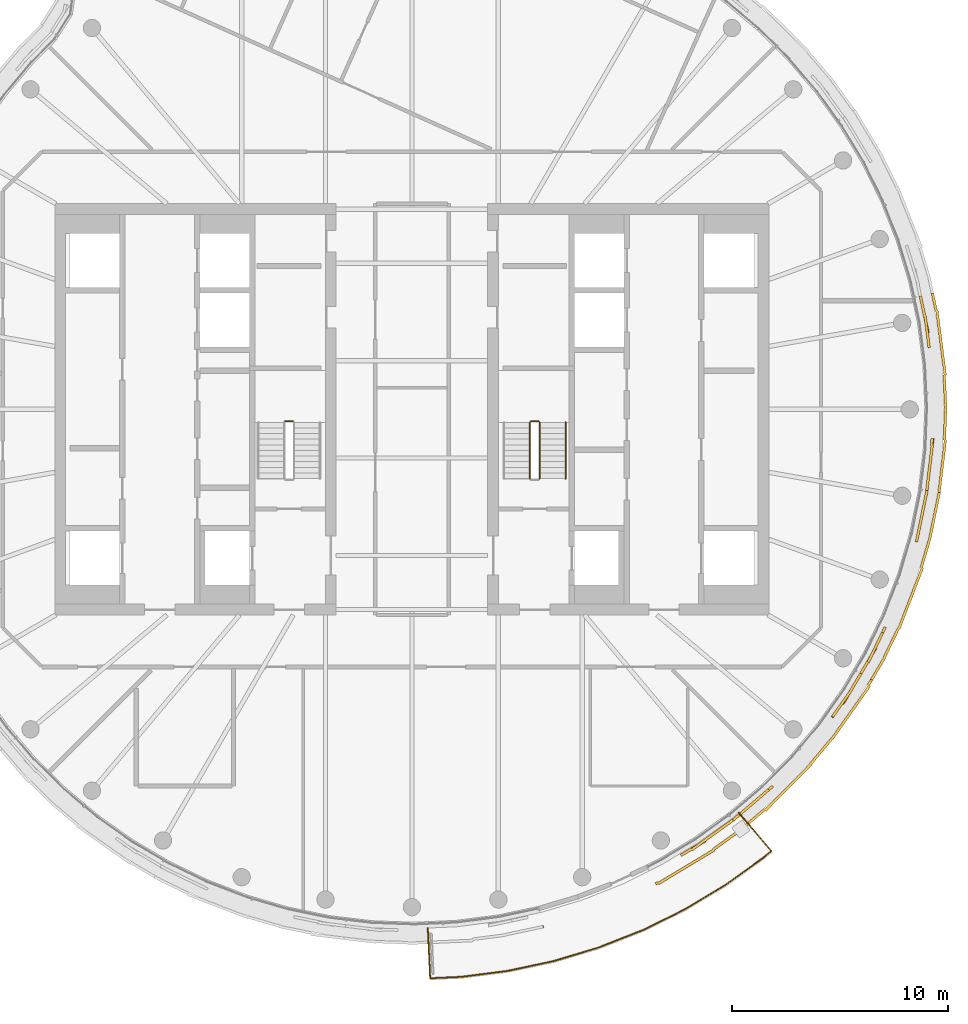
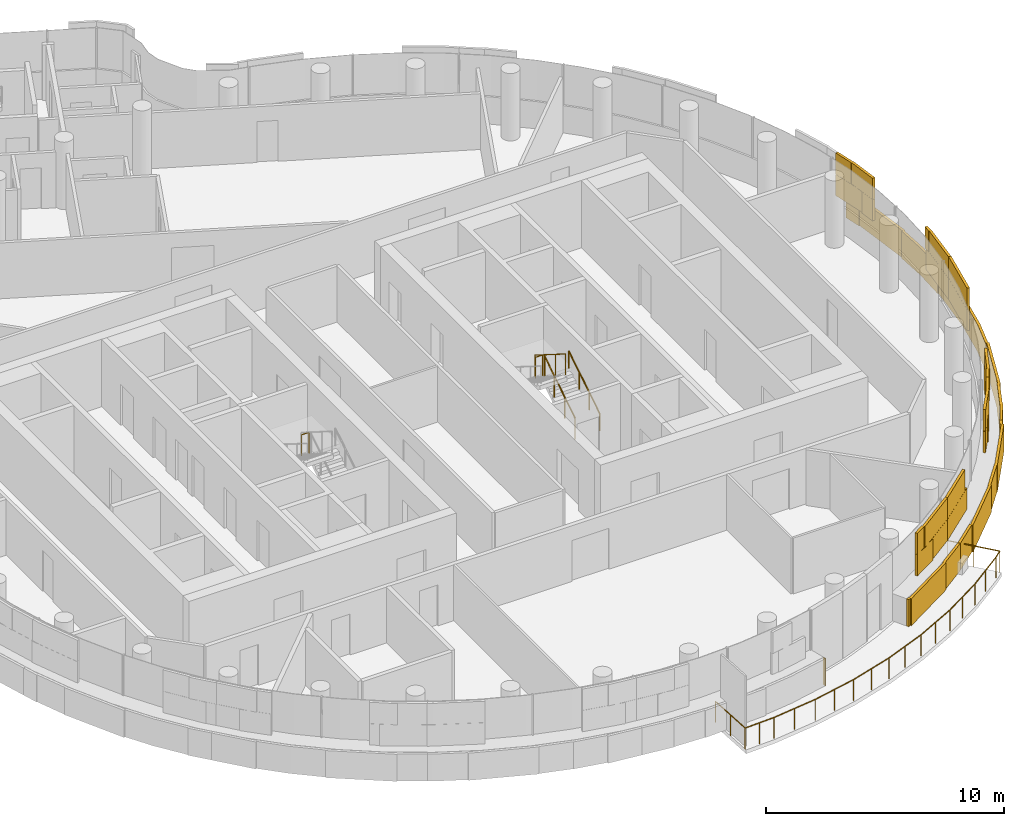
# One storey, part 18 of 21: 6 railings, 4 coverings.
"""IFC4 building model written with IfcOpenShell, lengths in metres."""

from ifc_helpers import new_model, si_unit, direction, frame, origin, origin_2d, place, context, subcontext, project, spatial, rectangle, circle, extrude, material, layer, layer_set, type_object, element, save


model = new_model("IFC4")

# Units and contexts
model_context = context("Model", 3, precision=1e-05, world=origin(), true_north=direction((0.0, 1.0)))
body_context = subcontext(model_context, "Body", "Model", "MODEL_VIEW")
ifc_project = project(units=[si_unit("LENGTHUNIT", "METRE"), si_unit("AREAUNIT", "SQUARE_METRE"), si_unit("VOLUMEUNIT", "CUBIC_METRE"), si_unit("PLANEANGLEUNIT", "RADIAN"), si_unit("MASSUNIT", "GRAM", prefix="KILO")], contexts=[model_context])

# Site, building, storey
site_placement = place(None, origin())
site = spatial("IfcSite", under=ifc_project, at=site_placement, CompositionType="ELEMENT")
building_placement = place(site_placement, origin())
building = spatial("IfcBuilding", under=site, at=building_placement, Name="Tamarind Cross Interchange Tower", CompositionType="ELEMENT")
storey_placement = place(building_placement, frame((0.0, 0.0, 271.199951171875)))
storey = spatial("IfcBuildingStorey", under=building, at=storey_placement, Name="L69", CompositionType="ELEMENT", Elevation=271.199951171875)

# Railings
ifc_material_1 = material(Name="Stainless steel and laminated glass", Category="steel")
railing_type_1 = type_object("IfcRailingType", Name="Balcony guard", PredefinedType="BALUSTRADE", material=ifc_material_1)
railing_1_placement = place(storey_placement, frame((0.734130859375, -23.967041015625, 0.0)))
element("IfcRailing", 1, at=railing_1_placement, inside=storey, type_object=railing_type_1, Name="Balcony guard 01", PredefinedType="BALUSTRADE", context=body_context, shape_type="SweptSolid", body=[
    extrude(circle(Radius=0.02490234375, at=origin_2d()), frame((0.0, 0.0, 1.0751953125), z_axis=(0.045569972356, -0.998961149204, 0.0), x_axis=(0.998961149204, 0.045569972356, 0.0)), (0.0, 0.0, 1.0), 2.31982421875),
    extrude(circle(Radius=0.02490234375, at=origin_2d()), frame((0.105712890625, -2.3173828125, 1.0751953125), z_axis=(0.998962969668, 0.045530047571, 0.0), x_axis=(-0.045530047571, 0.998962969668, 0.0)), (0.0, 0.0, 1.0), 1.44775390625),
    extrude(circle(Radius=0.02490234375, at=origin_2d()), frame((1.552001953125, -2.25146484375, 1.0751953125), z_axis=(0.991779704699, 0.127957091824, 0.0), x_axis=(-0.127957091824, 0.991779704699, 0.0)), (0.0, 0.0, 1.0), 2.175048828125),
    extrude(circle(Radius=0.02490234375, at=origin_2d()), frame((3.709228515625, -1.97314453125, 1.0751953125), z_axis=(0.977822119933, 0.209437106955, 0.0), x_axis=(-0.209437106955, 0.977822119933, 0.0)), (0.0, 0.0, 1.0), 2.17529296875),
    extrude(circle(Radius=0.02490234375, at=origin_2d()), frame((5.836181640625, -1.517578125, 1.0751953125), z_axis=(0.957187563191, 0.289468424656, 0.0), x_axis=(-0.289468424656, 0.957187563191, 0.0)), (0.0, 0.0, 1.0), 2.175048828125),
    extrude(circle(Radius=0.02490234375, at=origin_2d()), frame((7.918212890625, -0.887939453125, 1.0751953125), z_axis=(0.930047255074, 0.367439931593, 0.0), x_axis=(-0.367439931593, 0.930047255074, 0.0)), (0.0, 0.0, 1.0), 2.17529296875),
    extrude(circle(Radius=0.02490234375, at=origin_2d()), frame((9.94140625, -0.088623046875, 1.0751953125), z_axis=(0.896460627491, 0.443123395184, 0.0), x_axis=(-0.443123395184, 0.896460627491, 0.0)), (0.0, 0.0, 1.0), 2.175048828125),
    extrude(circle(Radius=0.02490234375, at=origin_2d()), frame((11.891357421875, 0.875244140625, 1.0751953125), z_axis=(0.85686835227, 0.515535281894, 0.0), x_axis=(-0.515535281894, 0.85686835227, 0.0)), (0.0, 0.0, 1.0), 2.175048828125),
    extrude(circle(Radius=0.02490234375, at=origin_2d()), frame((13.755126953125, 1.99658203125, 1.0751953125), z_axis=(0.811315026637, 0.584609209261, 0.0), x_axis=(-0.584609209261, 0.811315026637, 0.0)), (0.0, 0.0, 1.0), 2.17529296875),
    extrude(circle(Radius=0.02490234375, at=origin_2d()), frame((15.52001953125, 3.268310546875, 1.0751953125), z_axis=(0.76034094572, 0.649524169112, 0.0), x_axis=(-0.649524169112, 0.76034094572, 0.0)), (0.0, 0.0, 1.0), 0.46044921875),
    extrude(circle(Radius=0.02490234375, at=origin_2d()), frame((15.8701171875, 3.5673828125, 1.0751953125), z_axis=(-0.649585978216, 0.760288140711, 0.0), x_axis=(-0.760288140711, -0.649585978216, 0.0)), (0.0, 0.0, 1.0), 2.320068359375),
    extrude(circle(Radius=0.02001953125, at=origin_2d()), origin(), (0.0, 0.0, 1.0), 1.050048828125),
    extrude(circle(Radius=0.02001953125, at=origin_2d()), frame((0.052734375, -1.15869140625, 0.0)), (0.0, 0.0, 1.0), 1.050048828125),
    extrude(circle(Radius=0.02001953125, at=origin_2d()), frame((0.105712890625, -2.3173828125, 0.0)), (0.0, 0.0, 1.0), 1.050048828125),
    extrude(circle(Radius=0.02001953125, at=origin_2d()), frame((0.828857421875, -2.284423828125, 0.0)), (0.0, 0.0, 1.0), 1.050048828125),
    extrude(circle(Radius=0.02001953125, at=origin_2d()), frame((1.552001953125, -2.25146484375, 0.0)), (0.0, 0.0, 1.0), 1.050048828125),
    extrude(circle(Radius=0.02001953125, at=origin_2d()), frame((2.630615234375, -2.1123046875, 0.0)), (0.0, 0.0, 1.0), 1.050048828125),
    extrude(circle(Radius=0.02001953125, at=origin_2d()), frame((3.709228515625, -1.97314453125, 0.0)), (0.0, 0.0, 1.0), 1.050048828125),
    extrude(circle(Radius=0.02001953125, at=origin_2d()), frame((4.772705078125, -1.745361328125, 0.0)), (0.0, 0.0, 1.0), 1.050048828125),
    extrude(circle(Radius=0.02001953125, at=origin_2d()), frame((5.836181640625, -1.517578125, 0.0)), (0.0, 0.0, 1.0), 1.050048828125),
    extrude(circle(Radius=0.02001953125, at=origin_2d()), frame((6.877197265625, -1.20263671875, 0.0)), (0.0, 0.0, 1.0), 1.050048828125),
    extrude(circle(Radius=0.02001953125, at=origin_2d()), frame((7.918212890625, -0.887939453125, 0.0)), (0.0, 0.0, 1.0), 1.050048828125),
    extrude(circle(Radius=0.02001953125, at=origin_2d()), frame((8.9296875, -0.48828125, 0.0)), (0.0, 0.0, 1.0), 1.050048828125),
    extrude(circle(Radius=0.02001953125, at=origin_2d()), frame((9.94140625, -0.088623046875, 0.0)), (0.0, 0.0, 1.0), 1.050048828125),
    extrude(circle(Radius=0.02001953125, at=origin_2d()), frame((10.91650390625, 0.393310546875, 0.0)), (0.0, 0.0, 1.0), 1.050048828125),
    extrude(circle(Radius=0.02001953125, at=origin_2d()), frame((11.891357421875, 0.875244140625, 0.0)), (0.0, 0.0, 1.0), 1.050048828125),
    extrude(circle(Radius=0.02001953125, at=origin_2d()), frame((12.8232421875, 1.43603515625, 0.0)), (0.0, 0.0, 1.0), 1.050048828125),
    extrude(circle(Radius=0.02001953125, at=origin_2d()), frame((13.755126953125, 1.99658203125, 0.0)), (0.0, 0.0, 1.0), 1.050048828125),
    extrude(circle(Radius=0.02001953125, at=origin_2d()), frame((14.6376953125, 2.63232421875, 0.0)), (0.0, 0.0, 1.0), 1.050048828125),
    extrude(circle(Radius=0.02001953125, at=origin_2d()), frame((15.52001953125, 3.268310546875, 0.0)), (0.0, 0.0, 1.0), 1.050048828125),
    extrude(circle(Radius=0.02001953125, at=origin_2d()), frame((15.8701171875, 3.5673828125, 0.0)), (0.0, 0.0, 1.0), 1.050048828125),
    extrude(circle(Radius=0.02001953125, at=origin_2d()), frame((15.11669921875, 4.44921875, 0.0)), (0.0, 0.0, 1.0), 1.050048828125),
    extrude(circle(Radius=0.02001953125, at=origin_2d()), frame((14.363037109375, 5.331298828125, 0.0)), (0.0, 0.0, 1.0), 1.050048828125),
])
ifc_material_2 = material(Name="Stair guard")
railing_type_2 = type_object("IfcRailingType", Name="Stair guard", PredefinedType="GUARDRAIL", material=ifc_material_2)
railing_2_placement = place(storey_placement, frame((-5.5, -0.550048828125, 1.800048828125)))
element("IfcRailing", 2, at=railing_2_placement, inside=storey, type_object=railing_type_2, Name="L69 ST1 stair guard 2", PredefinedType="GUARDRAIL", context=body_context, shape_type="SweptSolid", body=[
    extrude(circle(Radius=0.02392578125, at=origin_2d()), frame((0.0, 0.0, 1.076171875), z_axis=(-1.0, 0.0, 0.0), x_axis=(0.0, -1.0, 0.0)), (0.0, 0.0, 1.0), 0.35009765625),
    extrude(circle(Radius=0.02099609375, at=origin_2d()), origin(), (0.0, 0.0, 1.0), 1.052001953125),
    extrude(circle(Radius=0.02099609375, at=origin_2d()), frame((-0.35009765625, 0.0, 0.0)), (0.0, 0.0, 1.0), 1.052001953125),
])
railing_3_placement = place(storey_placement, frame((5.89990234375, -3.199951171875, 0.16357421875)))
element("IfcRailing", 3, at=railing_3_placement, inside=storey, type_object=railing_type_2, Name="L69 ST2 stair guard 1", PredefinedType="GUARDRAIL", context=body_context, shape_type="SweptSolid", body=[
    extrude(circle(Radius=0.02392578125, at=origin_2d()), frame((0.0, 0.0, 1.076171875), z_axis=(0.0, 0.846301844409, 0.532703658848), x_axis=(-1.0, 0.0, 0.0)), (0.0, 0.0, 1.0), 3.072021484375),
    extrude(circle(Radius=0.02099609375, at=origin_2d()), origin(), (0.0, 0.0, 1.0), 1.052001953125),
    extrude(circle(Radius=0.02099609375, at=origin_2d()), frame((0.0, 0.86669921875, 0.54541015625)), (0.0, 0.0, 1.0), 1.052001953125),
    extrude(circle(Radius=0.02099609375, at=origin_2d()), frame((0.0, 1.733154296875, 1.091064453125)), (0.0, 0.0, 1.0), 1.052001953125),
    extrude(circle(Radius=0.02099609375, at=origin_2d()), frame((0.0, 2.599853515625, 1.636474609375)), (0.0, 0.0, 1.0), 1.052001953125),
])
railing_4_placement = place(storey_placement, frame((5.85009765625, -0.550048828125, 1.800048828125)))
element("IfcRailing", 4, at=railing_4_placement, inside=storey, type_object=railing_type_2, Name="L69 ST2 stair guard 2", PredefinedType="GUARDRAIL", context=body_context, shape_type="SweptSolid", body=[
    extrude(circle(Radius=0.02392578125, at=origin_2d()), frame((0.0, 0.0, 1.076171875), z_axis=(-1.0, 0.0, 0.0), x_axis=(0.0, -1.0, 0.0)), (0.0, 0.0, 1.0), 0.35009765625),
    extrude(circle(Radius=0.02099609375, at=origin_2d()), origin(), (0.0, 0.0, 1.0), 1.052001953125),
    extrude(circle(Radius=0.02099609375, at=origin_2d()), frame((-0.35009765625, 0.0, 0.0)), (0.0, 0.0, 1.0), 1.052001953125),
])
railing_5_placement = place(storey_placement, frame((5.449951171875, -0.60009765625, 1.963623046875)))
element("IfcRailing", 5, at=railing_5_placement, inside=storey, type_object=railing_type_2, Name="L69 ST2 stair guard 3", PredefinedType="GUARDRAIL", context=body_context, shape_type="SweptSolid", body=[
    extrude(circle(Radius=0.02392578125, at=origin_2d()), frame((0.0, 0.0, 1.076171875), z_axis=(0.0, -0.846301844409, 0.532703658848), x_axis=(1.0, 0.0, 0.0)), (0.0, 0.0, 1.0), 3.072021484375),
    extrude(circle(Radius=0.02099609375, at=origin_2d()), origin(), (0.0, 0.0, 1.0), 1.052001953125),
    extrude(circle(Radius=0.02099609375, at=origin_2d()), frame((0.0, -0.86669921875, 0.54541015625)), (0.0, 0.0, 1.0), 1.052001953125),
    extrude(circle(Radius=0.02099609375, at=origin_2d()), frame((0.0, -1.733154296875, 1.091064453125)), (0.0, 0.0, 1.0), 1.052001953125),
    extrude(circle(Radius=0.02099609375, at=origin_2d()), frame((0.0, -2.599853515625, 1.636474609375)), (0.0, 0.0, 1.0), 1.052001953125),
])
ifc_material_3 = material(Name="Stair handrail")
railing_type_3 = type_object("IfcRailingType", Name="Stair handrail", PredefinedType="HANDRAIL", material=ifc_material_3)
railing_6_placement = place(storey_placement, frame((7.10009765625, -3.199951171875, 0.16357421875)))
element("IfcRailing", 6, at=railing_6_placement, inside=storey, type_object=railing_type_3, Name="L69 ST2 stair handrail 1", PredefinedType="HANDRAIL", context=body_context, shape_type="SweptSolid", body=[
    extrude(circle(Radius=0.02392578125, at=origin_2d()), frame((0.0, 0.0, 0.8759765625), z_axis=(0.0, 0.846301844409, 0.532703658848), x_axis=(-1.0, 0.0, 0.0)), (0.0, 0.0, 1.0), 3.072021484375),
    extrude(circle(Radius=0.02099609375, at=origin_2d()), origin(), (0.0, 0.0, 1.0), 0.851806640625),
    extrude(circle(Radius=0.02099609375, at=origin_2d()), frame((0.0, 0.86669921875, 0.54541015625)), (0.0, 0.0, 1.0), 0.851806640625),
    extrude(circle(Radius=0.02099609375, at=origin_2d()), frame((0.0, 1.733154296875, 1.091064453125)), (0.0, 0.0, 1.0), 0.851806640625),
    extrude(circle(Radius=0.02099609375, at=origin_2d()), frame((0.0, 2.599853515625, 1.636474609375)), (0.0, 0.0, 1.0), 0.851806640625),
])

# Coverings
ifc_material_4 = material(Name="Terracotta", Category="masonry")
ifc_layer = layer(ifc_material_4, 0.1201171875)
ifc_layer_set = layer_set([ifc_layer], Name="Terracotta")
covering_type = type_object("IfcCoveringType", Name="Terracotta baguette screen unit", PredefinedType="MOLDING", material=ifc_layer_set)
covering_1_placement = place(storey_placement, origin())
element("IfcCovering", 7, at=covering_1_placement, inside=storey, type_object=covering_type, Name="SCR-L69-01-08", PredefinedType="MOLDING", context=body_context, shape_type="SweptSolid", body=[
    extrude(rectangle(XDim=1.326904296875, YDim=0.1201171875, at=origin_2d()), frame((12.996826171875, -20.265625, 1.40380859375), z_axis=(0.0, 0.0, 1.0), x_axis=(0.856843065292, 0.515577308909, 0.0)), (0.0, 0.0, 1.0), 1.092041015625),
    extrude(rectangle(XDim=1.52001953125, YDim=0.1201171875, at=origin_2d()), frame((14.153564453125, -19.463623046875, 1.40380859375), z_axis=(0.0, 0.0, 1.0), x_axis=(0.811340475102, 0.584573890505, 0.0)), (0.0, 0.0, 1.0), 1.092041015625),
    extrude(rectangle(XDim=0.0947265625, YDim=0.1201171875, at=origin_2d()), frame((14.79638671875, -19.00048828125, 1.40380859375), z_axis=(0.0, 0.0, 1.0), x_axis=(0.811340475102, 0.584573890505, 0.0)), (0.0, 0.0, 1.0), 1.092041015625),
    extrude(rectangle(XDim=0.576904296875, YDim=0.1201171875, at=origin_2d()), frame((12.675537109375, -20.458984375, 2.50390625), z_axis=(0.0, 0.0, 1.0), x_axis=(0.856843065292, 0.515577308909, 0.0)), (0.0, 0.0, 1.0), 1.092041015625),
    extrude(rectangle(XDim=1.52001953125, YDim=0.1201171875, at=origin_2d()), frame((13.545166015625, -19.902099609375, 2.50390625), z_axis=(0.0, 0.0, 1.0), x_axis=(0.811340475102, 0.584573890505, 0.0)), (0.0, 0.0, 1.0), 1.092041015625),
    extrude(rectangle(XDim=0.8447265625, YDim=0.1201171875, at=origin_2d()), frame((14.4921875, -19.2197265625, 2.50390625), z_axis=(0.0, 0.0, 1.0), x_axis=(0.811340475102, 0.584573890505, 0.0)), (0.0, 0.0, 1.0), 1.092041015625),
    extrude(rectangle(XDim=0.03076171875, YDim=0.1201171875, at=origin_2d()), frame((6.066650390625, -23.89892578125, 0.00390625), z_axis=(0.0, 0.0, 1.0), x_axis=(0.977824623121, 0.209425419705, 0.0)), (0.0, 0.0, 1.0), 1.39208984375),
    extrude(rectangle(XDim=0.126220703125, YDim=0.1201171875, at=origin_2d()), frame((11.31298828125, -21.893310546875, 0.00390625), z_axis=(0.0, 0.0, 1.0), x_axis=(0.896492548518, 0.443058811505, 0.0)), (0.0, 0.0, 1.0), 1.39208984375),
    extrude(rectangle(XDim=1.52001953125, YDim=0.1201171875, at=origin_2d()), frame((12.024169921875, -21.52099609375, 0.00390625), z_axis=(0.0, 0.0, 1.0), x_axis=(0.856843065292, 0.515577308909, 0.0)), (0.0, 0.0, 1.0), 1.39208984375),
    extrude(rectangle(XDim=1.52001953125, YDim=0.1201171875, at=origin_2d()), frame((13.309326171875, -20.74755859375, 0.00390625), z_axis=(0.0, 0.0, 1.0), x_axis=(0.856843065292, 0.515577308909, 0.0)), (0.0, 0.0, 1.0), 1.39208984375),
    extrude(rectangle(XDim=1.52001953125, YDim=0.1201171875, at=origin_2d()), frame((14.54052734375, -19.892333984375, 0.00390625), z_axis=(0.0, 0.0, 1.0), x_axis=(0.811340475102, 0.584573890505, 0.0)), (0.0, 0.0, 1.0), 1.39208984375),
    extrude(rectangle(XDim=0.053955078125, YDim=0.1201171875, at=origin_2d()), frame((15.162841796875, -19.444091796875, 0.00390625), z_axis=(0.0, 0.0, 1.0), x_axis=(0.811340475102, 0.584573890505, 0.0)), (0.0, 0.0, 1.0), 1.39208984375),
])
covering_2_placement = place(storey_placement, origin())
element("IfcCovering", 8, at=covering_2_placement, inside=storey, type_object=covering_type, Name="SCR-L69-01-09", PredefinedType="MOLDING", context=body_context, shape_type="SweptSolid", body=[
    extrude(rectangle(XDim=1.42529296875, YDim=0.1201171875, at=origin_2d()), frame((15.37158203125, -18.51953125, 1.40380859375), z_axis=(0.0, 0.0, 1.0), x_axis=(0.760295606781, 0.64957723968, 0.0)), (0.0, 0.0, 1.0), 1.092041015625),
    extrude(rectangle(XDim=1.01611328125, YDim=0.1201171875, at=origin_2d()), frame((16.292236328125, -17.733154296875, 1.40380859375), z_axis=(0.0, 0.0, 1.0), x_axis=(0.760295606781, 0.64957723968, 0.0)), (0.0, 0.0, 1.0), 1.092041015625),
    extrude(rectangle(XDim=0.8037109375, YDim=0.1201171875, at=origin_2d()), frame((19.64306640625, -13.90283203125, 1.40380859375), z_axis=(0.0, 0.0, 1.0), x_axis=(0.577568978284, 0.816341886298, 0.0)), (0.0, 0.0, 1.0), 1.092041015625),
    extrude(rectangle(XDim=1.52001953125, YDim=0.1201171875, at=origin_2d()), frame((20.29541015625, -12.9599609375, 1.40380859375), z_axis=(0.0, 0.0, 1.0), x_axis=(0.508183308752, 0.861248933065, 0.0)), (0.0, 0.0, 1.0), 1.092041015625),
    extrude(rectangle(XDim=0.1376953125, YDim=0.1201171875, at=origin_2d()), frame((20.708984375, -12.259033203125, 1.40380859375), z_axis=(0.0, 0.0, 1.0), x_axis=(0.508183308752, 0.861248933065, 0.0)), (0.0, 0.0, 1.0), 1.092041015625),
    extrude(rectangle(XDim=0.67529296875, YDim=0.1201171875, at=origin_2d()), frame((15.086669921875, -18.76318359375, 2.50390625), z_axis=(0.0, 0.0, 1.0), x_axis=(0.760295606781, 0.64957723968, 0.0)), (0.0, 0.0, 1.0), 1.092041015625),
    extrude(rectangle(XDim=1.52001953125, YDim=0.1201171875, at=origin_2d()), frame((15.90966796875, -18.059814453125, 2.50390625), z_axis=(0.0, 0.0, 1.0), x_axis=(0.760295606781, 0.64957723968, 0.0)), (0.0, 0.0, 1.0), 1.092041015625),
    extrude(rectangle(XDim=1.52001953125, YDim=0.1201171875, at=origin_2d()), frame((19.872314453125, -13.578857421875, 2.50390625), z_axis=(0.0, 0.0, 1.0), x_axis=(0.577568978284, 0.816341886298, 0.0)), (0.0, 0.0, 1.0), 1.092041015625),
    extrude(rectangle(XDim=0.8876953125, YDim=0.1201171875, at=origin_2d()), frame((20.518310546875, -12.58203125, 2.50390625), z_axis=(0.0, 0.0, 1.0), x_axis=(0.508183308752, 0.861248933065, 0.0)), (0.0, 0.0, 1.0), 1.092041015625),
    extrude(rectangle(XDim=1.466064453125, YDim=0.1201171875, at=origin_2d()), frame((15.744873046875, -18.955810546875, 0.00390625), z_axis=(0.0, 0.0, 1.0), x_axis=(0.760295606781, 0.64957723968, 0.0)), (0.0, 0.0, 1.0), 1.39208984375),
    extrude(rectangle(XDim=1.52001953125, YDim=0.1201171875, at=origin_2d()), frame((16.858642578125, -17.9921875, 0.00390625), z_axis=(0.0, 0.0, 1.0), x_axis=(0.704057148523, 0.710143317658, 0.0)), (0.0, 0.0, 1.0), 1.39208984375),
    extrude(rectangle(XDim=1.52001953125, YDim=0.1201171875, at=origin_2d()), frame((17.91455078125, -16.9267578125, 0.00390625), z_axis=(0.0, 0.0, 1.0), x_axis=(0.704057148523, 0.710143317658, 0.0)), (0.0, 0.0, 1.0), 1.39208984375),
    extrude(rectangle(XDim=1.52001953125, YDim=0.1201171875, at=origin_2d()), frame((18.9052734375, -15.8017578125, 0.00390625), z_axis=(0.0, 0.0, 1.0), x_axis=(0.643009266048, 0.765858396687, 0.0)), (0.0, 0.0, 1.0), 1.39208984375),
    extrude(rectangle(XDim=1.52001953125, YDim=0.1201171875, at=origin_2d()), frame((19.834716796875, -14.6259765625, 0.00390625), z_axis=(0.0, 0.0, 1.0), x_axis=(0.577568978284, 0.816341886298, 0.0)), (0.0, 0.0, 1.0), 1.39208984375),
    extrude(rectangle(XDim=1.52001953125, YDim=0.1201171875, at=origin_2d()), frame((20.701171875, -13.401611328125, 0.00390625), z_axis=(0.0, 0.0, 1.0), x_axis=(0.577568978284, 0.816341886298, 0.0)), (0.0, 0.0, 1.0), 1.39208984375),
    extrude(rectangle(XDim=0.3125, YDim=0.1201171875, at=origin_2d()), frame((21.15673828125, -12.6298828125, 0.00390625), z_axis=(0.0, 0.0, 1.0), x_axis=(0.508183308752, 0.861248933065, 0.0)), (0.0, 0.0, 1.0), 1.39208984375),
])
covering_3_placement = place(storey_placement, origin())
element("IfcCovering", 9, at=covering_3_placement, inside=storey, type_object=covering_type, Name="SCR-L69-01-10", PredefinedType="MOLDING", context=body_context, shape_type="SweptSolid", body=[
    extrude(rectangle(XDim=1.38232421875, YDim=0.1201171875, at=origin_2d()), frame((21.090087890625, -11.61328125, 1.40380859375), z_axis=(0.0, 0.0, 1.0), x_axis=(0.508183308752, 0.861248933065, 0.0)), (0.0, 0.0, 1.0), 1.092041015625),
    extrude(rectangle(XDim=1.05908203125, YDim=0.1201171875, at=origin_2d()), frame((21.637451171875, -10.5341796875, 1.40380859375), z_axis=(0.0, 0.0, 1.0), x_axis=(0.435326231914, 0.900272776334, 0.0)), (0.0, 0.0, 1.0), 1.092041015625),
    extrude(rectangle(XDim=0.760986328125, YDim=0.1201171875, at=origin_2d()), frame((23.385986328125, -5.75439453125, 1.40380859375), z_axis=(0.0, 0.0, 1.0), x_axis=(0.201001463943, 0.9795909409, 0.0)), (0.0, 0.0, 1.0), 1.092041015625),
    extrude(rectangle(XDim=1.52001953125, YDim=0.1201171875, at=origin_2d()), frame((23.6123046875, -4.65185546875, 1.40380859375), z_axis=(0.0, 0.0, 1.0), x_axis=(0.201001463943, 0.9795909409, 0.0)), (0.0, 0.0, 1.0), 1.092041015625),
    extrude(rectangle(XDim=0.180419921875, YDim=0.1201171875, at=origin_2d()), frame((23.77783203125, -3.83349609375, 1.40380859375), z_axis=(0.0, 0.0, 1.0), x_axis=(0.119420963295, 0.992843710523, 0.0)), (0.0, 0.0, 1.0), 1.092041015625),
    extrude(rectangle(XDim=0.63232421875, YDim=0.1201171875, at=origin_2d()), frame((20.8994140625, -11.936279296875, 2.50390625), z_axis=(0.0, 0.0, 1.0), x_axis=(0.508183308752, 0.861248933065, 0.0)), (0.0, 0.0, 1.0), 1.092041015625),
    extrude(rectangle(XDim=1.52001953125, YDim=0.1201171875, at=origin_2d()), frame((21.4091796875, -11.00634765625, 2.50390625), z_axis=(0.0, 0.0, 1.0), x_axis=(0.435326231914, 0.900272776334, 0.0)), (0.0, 0.0, 1.0), 1.092041015625),
    extrude(rectangle(XDim=1.52001953125, YDim=0.1201171875, at=origin_2d()), frame((23.461669921875, -5.38671875, 2.50390625), z_axis=(0.0, 0.0, 1.0), x_axis=(0.201001463943, 0.9795909409, 0.0)), (0.0, 0.0, 1.0), 1.092041015625),
    extrude(rectangle(XDim=0.930419921875, YDim=0.1201171875, at=origin_2d()), frame((23.704833984375, -4.201171875, 2.50390625), z_axis=(0.0, 0.0, 1.0), x_axis=(0.201001463943, 0.9795909409, 0.0)), (0.0, 0.0, 1.0), 1.092041015625),
    extrude(rectangle(XDim=1.20751953125, YDim=0.1201171875, at=origin_2d()), frame((21.54296875, -11.975341796875, 0.00390625), z_axis=(0.0, 0.0, 1.0), x_axis=(0.508183308752, 0.861248933065, 0.0)), (0.0, 0.0, 1.0), 1.39208984375),
    extrude(rectangle(XDim=1.52001953125, YDim=0.1201171875, at=origin_2d()), frame((22.156005859375, -10.780517578125, 0.00390625), z_axis=(0.0, 0.0, 1.0), x_axis=(0.435326231914, 0.900272776334, 0.0)), (0.0, 0.0, 1.0), 1.39208984375),
    extrude(rectangle(XDim=1.52001953125, YDim=0.1201171875, at=origin_2d()), frame((22.777099609375, -9.416259765625, 0.00390625), z_axis=(0.0, 0.0, 1.0), x_axis=(0.359495435512, 0.933146843667, 0.0)), (0.0, 0.0, 1.0), 1.39208984375),
    extrude(rectangle(XDim=1.52001953125, YDim=0.1201171875, at=origin_2d()), frame((23.31640625, -8.0166015625, 0.00390625), z_axis=(0.0, 0.0, 1.0), x_axis=(0.359495435512, 0.933146843667, 0.0)), (0.0, 0.0, 1.0), 1.39208984375),
    extrude(rectangle(XDim=1.52001953125, YDim=0.1201171875, at=origin_2d()), frame((23.747314453125, -6.580322265625, 0.00390625), z_axis=(0.0, 0.0, 1.0), x_axis=(0.281208920763, 0.95964657186, 0.0)), (0.0, 0.0, 1.0), 1.39208984375),
    extrude(rectangle(XDim=1.52001953125, YDim=0.1201171875, at=origin_2d()), frame((24.101318359375, -5.1240234375, 0.00390625), z_axis=(0.0, 0.0, 1.0), x_axis=(0.201001463943, 0.9795909409, 0.0)), (0.0, 0.0, 1.0), 1.39208984375),
    extrude(rectangle(XDim=0.57080078125, YDim=0.1201171875, at=origin_2d()), frame((24.3076171875, -4.119384765625, 0.00390625), z_axis=(0.0, 0.0, 1.0), x_axis=(0.201001463943, 0.9795909409, 0.0)), (0.0, 0.0, 1.0), 1.39208984375),
])
covering_4_placement = place(storey_placement, origin())
element("IfcCovering", 10, at=covering_4_placement, inside=storey, type_object=covering_type, Name="SCR-L69-01-11", PredefinedType="MOLDING", context=body_context, shape_type="SweptSolid", body=[
    extrude(rectangle(XDim=1.339599609375, YDim=0.1201171875, at=origin_2d()), frame((23.867431640625, -3.0888671875, 1.40380859375), z_axis=(0.0, 0.0, 1.0), x_axis=(0.119420963295, 0.992843710523, 0.0)), (0.0, 0.0, 1.0), 1.092041015625),
    extrude(rectangle(XDim=1.10205078125, YDim=0.1201171875, at=origin_2d()), frame((24.011962890625, -1.88671875, 1.40380859375), z_axis=(0.0, 0.0, 1.0), x_axis=(0.119420963295, 0.992843710523, 0.0)), (0.0, 0.0, 1.0), 1.092041015625),
    extrude(rectangle(XDim=0.718017578125, YDim=0.1201171875, at=origin_2d()), frame((23.85205078125, 3.20068359375, 1.40380859375), z_axis=(0.0, 0.0, 1.0), x_axis=(-0.127962008342, 0.991779070368, 0.0)), (0.0, 0.0, 1.0), 1.092041015625),
    extrude(rectangle(XDim=1.52001953125, YDim=0.1201171875, at=origin_2d()), frame((23.69189453125, 4.29248046875, 1.40380859375), z_axis=(0.0, 0.0, 1.0), x_axis=(-0.209425419705, 0.977824623121, 0.0)), (0.0, 0.0, 1.0), 1.092041015625),
    extrude(rectangle(XDim=0.2236328125, YDim=0.1201171875, at=origin_2d()), frame((23.512451171875, 5.13037109375, 1.40380859375), z_axis=(0.0, 0.0, 1.0), x_axis=(-0.209425419705, 0.977824623121, 0.0)), (0.0, 0.0, 1.0), 1.092041015625),
    extrude(rectangle(XDim=0.589599609375, YDim=0.1201171875, at=origin_2d()), frame((23.822509765625, -3.461181640625, 2.50390625), z_axis=(0.0, 0.0, 1.0), x_axis=(0.119420963295, 0.992843710523, 0.0)), (0.0, 0.0, 1.0), 1.092041015625),
    extrude(rectangle(XDim=1.52001953125, YDim=0.1201171875, at=origin_2d()), frame((23.94677734375, -2.4287109375, 2.50390625), z_axis=(0.0, 0.0, 1.0), x_axis=(0.119420963295, 0.992843710523, 0.0)), (0.0, 0.0, 1.0), 1.092041015625),
    extrude(rectangle(XDim=0.35205078125, YDim=0.1201171875, at=origin_2d()), frame((24.02587890625, -1.511962890625, 2.50390625), z_axis=(0.0, 0.0, 1.0), x_axis=(0.037024696392, 0.999314350871, 0.0)), (0.0, 0.0, 1.0), 1.092041015625),
    extrude(rectangle(XDim=1.468017578125, YDim=0.1201171875, at=origin_2d()), frame((23.803955078125, 3.572509765625, 2.50390625), z_axis=(0.0, 0.0, 1.0), x_axis=(-0.127962008342, 0.991779070368, 0.0)), (0.0, 0.0, 1.0), 1.092041015625),
    extrude(rectangle(XDim=0.9736328125, YDim=0.1201171875, at=origin_2d()), frame((23.591064453125, 4.763671875, 2.50390625), z_axis=(0.0, 0.0, 1.0), x_axis=(-0.209425419705, 0.977824623121, 0.0)), (0.0, 0.0, 1.0), 1.092041015625),
    extrude(rectangle(XDim=0.94921875, YDim=0.1201171875, at=origin_2d()), frame((24.412109375, -3.3671875, 0.00390625), z_axis=(0.0, 0.0, 1.0), x_axis=(0.119420963295, 0.992843710523, 0.0)), (0.0, 0.0, 1.0), 1.39208984375),
    extrude(rectangle(XDim=1.52001953125, YDim=0.1201171875, at=origin_2d()), frame((24.55712890625, -2.1611328125, 0.00390625), z_axis=(0.0, 0.0, 1.0), x_axis=(0.119420963295, 0.992843710523, 0.0)), (0.0, 0.0, 1.0), 1.39208984375),
    extrude(rectangle(XDim=1.52001953125, YDim=0.1201171875, at=origin_2d()), frame((24.6318359375, -0.663818359375, 0.00390625), z_axis=(0.0, 0.0, 1.0), x_axis=(0.037024696392, 0.999314350871, 0.0)), (0.0, 0.0, 1.0), 1.39208984375),
    extrude(rectangle(XDim=1.52001953125, YDim=0.1201171875, at=origin_2d()), frame((24.626953125, 0.8349609375, 0.00390625), z_axis=(0.0, 0.0, 1.0), x_axis=(-0.045624486728, 0.998958660912, 0.0)), (0.0, 0.0, 1.0), 1.39208984375),
    extrude(rectangle(XDim=1.52001953125, YDim=0.1201171875, at=origin_2d()), frame((24.542724609375, 2.33203125, 0.00390625), z_axis=(0.0, 0.0, 1.0), x_axis=(-0.127962008342, 0.991779070368, 0.0)), (0.0, 0.0, 1.0), 1.39208984375),
    extrude(rectangle(XDim=1.52001953125, YDim=0.1201171875, at=origin_2d()), frame((24.350830078125, 3.81982421875, 0.00390625), z_axis=(0.0, 0.0, 1.0), x_axis=(-0.127962008342, 0.991779070368, 0.0)), (0.0, 0.0, 1.0), 1.39208984375),
    extrude(rectangle(XDim=0.829833984375, YDim=0.1201171875, at=origin_2d()), frame((24.13720703125, 4.953857421875, 0.00390625), z_axis=(0.0, 0.0, 1.0), x_axis=(-0.209425419705, 0.977824623121, 0.0)), (0.0, 0.0, 1.0), 1.39208984375),
])

save(model, "model.ifc")
